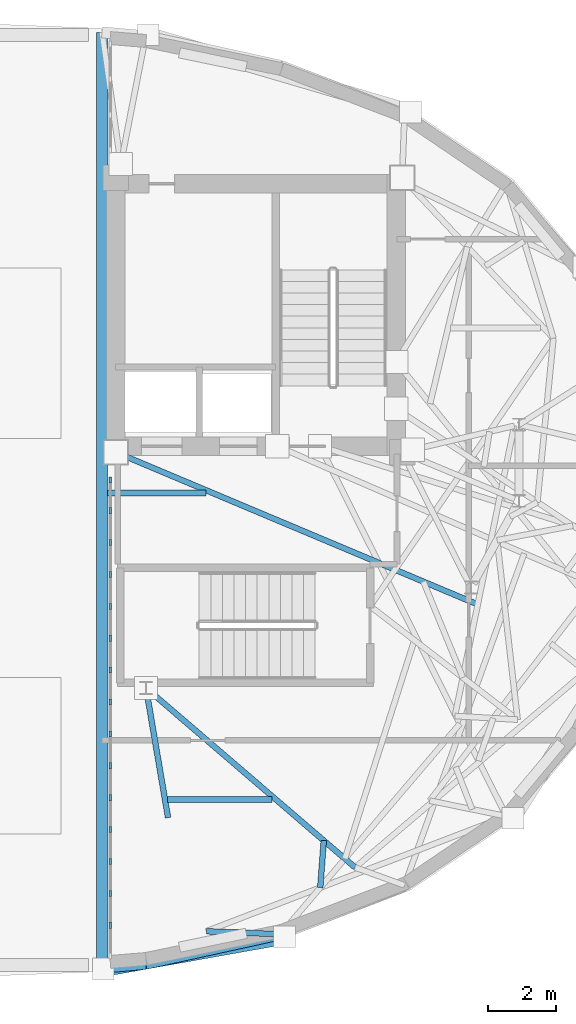
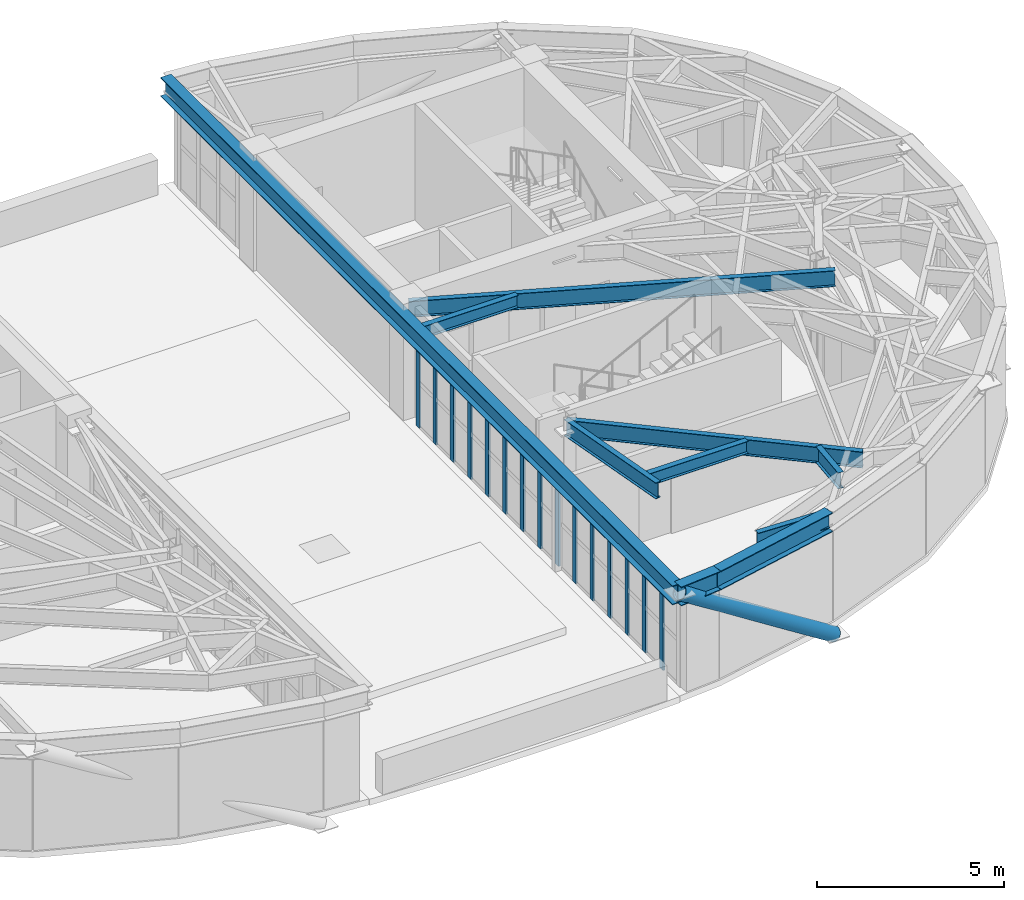
# One storey, part 3 of 13: 16 members, 10 beams, 1 element without a shape of its own.
"""IFC4 building model written with IfcOpenShell, lengths in metres."""

from ifc_helpers import new_model, si_unit, direction, frame, origin, origin_2d, place, context, subcontext, project, spatial, rectangle, hollow_circle, i_section, extrude, material, layer, layer_set, material_profile, profile_set, type_object, element, aggregate, save


model = new_model("IFC4")

# Units and contexts
model_context = context("Model", 3, precision=1e-05, world=origin(), true_north=direction((0.0, 1.0)))
body_context = subcontext(model_context, "Body", "Model", "MODEL_VIEW")
ifc_project = project(units=[si_unit("LENGTHUNIT", "METRE"), si_unit("AREAUNIT", "SQUARE_METRE"), si_unit("VOLUMEUNIT", "CUBIC_METRE"), si_unit("PLANEANGLEUNIT", "RADIAN"), si_unit("MASSUNIT", "GRAM", prefix="KILO")], contexts=[model_context])

# Site, building, storey
site_placement = place(None, origin())
site = spatial("IfcSite", under=ifc_project, at=site_placement, CompositionType="ELEMENT")
building_placement = place(site_placement, origin())
building = spatial("IfcBuilding", under=site, at=building_placement, Name="Keldmark Tower", CompositionType="ELEMENT")
storey_placement = place(building_placement, frame((0.0, 0.0, 269.199951171875)))
storey = spatial("IfcBuildingStorey", under=building, at=storey_placement, Name="L76", CompositionType="ELEMENT", Elevation=269.199951171875)

# Beams
ifc_material_1 = material(Name="Steel ASTM A992 Grade 50", Category="steel")
ifc_material_profile_1 = material_profile(ifc_material_1, i_section(OverallWidth=0.177978515625, OverallDepth=0.403076171875, WebThickness=0.007568359375, FlangeThickness=0.010986328125, at=origin_2d()), Name="W16X36")
ifc_profile_set_1 = profile_set([ifc_material_profile_1], Name="Steel ASTM A992 Grade 50")
beam_type_1 = type_object("IfcBeamType", Name="Composite Floor Joist W16X36", PredefinedType="JOIST", material=ifc_profile_set_1)
beam_1_placement = place(storey_placement, frame((6.720947265625, -8.780029296875, 3.3984375), z_axis=(1.0, 0.0, 0.0), x_axis=(0.0, 1.0, 0.0)))
element("IfcBeam", 1, at=beam_1_placement, inside=storey, type_object=beam_type_1, Name="L76 Composite Floor Joist J01", PredefinedType="JOIST", context=body_context, shape_type="SweptSolid", body=[
    extrude(i_section(OverallWidth=0.177978515625, OverallDepth=0.403076171875, WebThickness=0.007568359375, FlangeThickness=0.010986328125, at=origin_2d()), origin(), (0.0, 0.0, 1.0), 3.057373046875),
])
beam_2_placement = place(storey_placement, frame((4.95458984375, 0.199951171875, 3.3984375), z_axis=(1.0, 0.0, 0.0), x_axis=(0.0, 1.0, 0.0)))
element("IfcBeam", 2, at=beam_2_placement, inside=storey, type_object=beam_type_1, Name="L76 Composite Floor Joist J02", PredefinedType="JOIST", context=body_context, shape_type="SweptSolid", body=[
    extrude(i_section(OverallWidth=0.177978515625, OverallDepth=0.403076171875, WebThickness=0.007568359375, FlangeThickness=0.010986328125, at=origin_2d()), origin(), (0.0, 0.0, 1.0), 2.898193359375),
])

# Member
ifc_material_2 = material(Name="Steel ASTM A572 Grade 50", Category="steel")
ifc_material_profile_2 = material_profile(ifc_material_2, hollow_circle(Radius=0.22509765625, WallThickness=0.02197265625, at=origin_2d()), Name="CHS450X22")
ifc_profile_set_2 = profile_set([ifc_material_profile_2], Name="Steel ASTM A572 Grade 50")
member_type_1 = type_object("IfcMemberType", Name="Crown Frame Brace CHS450X22", PredefinedType="USERDEFINED", material=ifc_profile_set_2)
member_1_placement = place(storey_placement, frame((10.153076171875, -12.806884765625, -0.449951171875), z_axis=(-0.805311500811, -0.143500736894, 0.575222500579), x_axis=(0.175429419345, -0.984492010546, 0.0)))
element("IfcMember", 3, at=member_1_placement, inside=storey, type_object=member_type_1, Name="L76 Crown Frame Diagonal E12", ObjectType="CROWN FRAME", PredefinedType="USERDEFINED", context=body_context, shape_type="SweptSolid", body=[
    extrude(hollow_circle(Radius=0.22509765625, WallThickness=0.02197265625, at=origin_2d()), origin(), (0.0, 0.0, 1.0), 6.606201171875),
])

# Curtain wall, members
ifc_material_3 = material(Name="Unitized Thermally Broken Aluminum and Triple Low-E Glazing", Category="aluminium")
ifc_layer = layer(ifc_material_3, 0.219970703125)
ifc_layer_set = layer_set([ifc_layer], Name="Unitized Thermally Broken Aluminum and Triple Low-E Glazing")
curtain_wall_type = type_object("IfcCurtainWallType", Name="Split-Top Crown Lantern Curtain Wall System", PredefinedType="NOTDEFINED", material=ifc_layer_set)
curtain_wall_placement = place(storey_placement, origin())
curtain_wall = element("IfcCurtainWall", 4, at=curtain_wall_placement, inside=storey, type_object=curtain_wall_type, Name="L76 Split-Top Crown Lantern Curtain Wall System CW-L76-ES14-1", PredefinedType="NOTDEFINED")
ifc_material_4 = material(Name="Extruded Aluminum Alloy 6063-T6", Category="aluminium")
ifc_material_profile_3 = material_profile(ifc_material_4, rectangle(XDim=0.06005859375, YDim=0.179931640625, at=origin_2d()), Name="CWM60X180")
ifc_profile_set_3 = profile_set([ifc_material_profile_3], Name="Extruded Aluminum Alloy 6063-T6")
member_type_2 = type_object("IfcMemberType", Name="Curtain Wall Structural Mullion 60x180", PredefinedType="MULLION", material=ifc_profile_set_3)
member_2_placement = place(storey_placement, frame((5.0400390625, 0.591552734375, 0.0), z_axis=(0.0, 0.0, 1.0), x_axis=(1.0, 0.0, 0.0)))
member_2 = element("IfcMember", 5, at=member_2_placement, type_object=member_type_2, Name="CW mullion 1", PredefinedType="MULLION", context=body_context, shape_type="SweptSolid", body=[
    extrude(rectangle(XDim=0.06005859375, YDim=0.179931640625, at=origin_2d()), origin(), (0.0, 0.0, 1.0), 2.966064453125),
])
member_3_placement = place(storey_placement, frame((5.0400390625, -0.3134765625, 0.0), z_axis=(0.0, 0.0, 1.0), x_axis=(1.0, 0.0, 0.0)))
member_3 = element("IfcMember", 6, at=member_3_placement, type_object=member_type_2, Name="CW mullion 2", PredefinedType="MULLION", context=body_context, shape_type="SweptSolid", body=[
    extrude(rectangle(XDim=0.06005859375, YDim=0.179931640625, at=origin_2d()), origin(), (0.0, 0.0, 1.0), 2.966064453125),
])
member_4_placement = place(storey_placement, frame((5.0400390625, -1.24853515625, 0.0), z_axis=(0.0, 0.0, 1.0), x_axis=(1.0, 0.0, 0.0)))
member_4 = element("IfcMember", 7, at=member_4_placement, type_object=member_type_2, Name="CW mullion 3", PredefinedType="MULLION", context=body_context, shape_type="SweptSolid", body=[
    extrude(rectangle(XDim=0.06005859375, YDim=0.179931640625, at=origin_2d()), origin(), (0.0, 0.0, 1.0), 2.966064453125),
])
member_5_placement = place(storey_placement, frame((5.0400390625, -2.183837890625, 0.0), z_axis=(0.0, 0.0, 1.0), x_axis=(1.0, 0.0, 0.0)))
member_5 = element("IfcMember", 8, at=member_5_placement, type_object=member_type_2, Name="CW mullion 4", PredefinedType="MULLION", context=body_context, shape_type="SweptSolid", body=[
    extrude(rectangle(XDim=0.06005859375, YDim=0.179931640625, at=origin_2d()), origin(), (0.0, 0.0, 1.0), 2.966064453125),
])
member_6_placement = place(storey_placement, frame((5.0400390625, -3.118896484375, 0.0), z_axis=(0.0, 0.0, 1.0), x_axis=(1.0, 0.0, 0.0)))
member_6 = element("IfcMember", 9, at=member_6_placement, type_object=member_type_2, Name="CW mullion 5", PredefinedType="MULLION", context=body_context, shape_type="SweptSolid", body=[
    extrude(rectangle(XDim=0.06005859375, YDim=0.179931640625, at=origin_2d()), origin(), (0.0, 0.0, 1.0), 2.966064453125),
])
member_7_placement = place(storey_placement, frame((5.0400390625, -4.053955078125, 0.0), z_axis=(0.0, 0.0, 1.0), x_axis=(1.0, 0.0, 0.0)))
member_7 = element("IfcMember", 10, at=member_7_placement, type_object=member_type_2, Name="CW mullion 6", PredefinedType="MULLION", context=body_context, shape_type="SweptSolid", body=[
    extrude(rectangle(XDim=0.06005859375, YDim=0.179931640625, at=origin_2d()), origin(), (0.0, 0.0, 1.0), 2.966064453125),
])
member_8_placement = place(storey_placement, frame((5.0400390625, -4.989013671875, 0.0), z_axis=(0.0, 0.0, 1.0), x_axis=(1.0, 0.0, 0.0)))
member_8 = element("IfcMember", 11, at=member_8_placement, type_object=member_type_2, Name="CW mullion 7", PredefinedType="MULLION", context=body_context, shape_type="SweptSolid", body=[
    extrude(rectangle(XDim=0.06005859375, YDim=0.179931640625, at=origin_2d()), origin(), (0.0, 0.0, 1.0), 2.966064453125),
])
member_9_placement = place(storey_placement, frame((5.0400390625, -5.924072265625, 0.0), z_axis=(0.0, 0.0, 1.0), x_axis=(1.0, 0.0, 0.0)))
member_9 = element("IfcMember", 12, at=member_9_placement, type_object=member_type_2, Name="CW mullion 8", PredefinedType="MULLION", context=body_context, shape_type="SweptSolid", body=[
    extrude(rectangle(XDim=0.06005859375, YDim=0.179931640625, at=origin_2d()), origin(), (0.0, 0.0, 1.0), 2.966064453125),
])
member_10_placement = place(storey_placement, frame((5.0400390625, -6.859130859375, 0.0), z_axis=(0.0, 0.0, 1.0), x_axis=(1.0, 0.0, 0.0)))
member_10 = element("IfcMember", 13, at=member_10_placement, type_object=member_type_2, Name="CW mullion 9", PredefinedType="MULLION", context=body_context, shape_type="SweptSolid", body=[
    extrude(rectangle(XDim=0.06005859375, YDim=0.179931640625, at=origin_2d()), origin(), (0.0, 0.0, 1.0), 2.966064453125),
])
member_11_placement = place(storey_placement, frame((5.0400390625, -7.794189453125, 0.0), z_axis=(0.0, 0.0, 1.0), x_axis=(1.0, 0.0, 0.0)))
member_11 = element("IfcMember", 14, at=member_11_placement, type_object=member_type_2, Name="CW mullion 10", PredefinedType="MULLION", context=body_context, shape_type="SweptSolid", body=[
    extrude(rectangle(XDim=0.06005859375, YDim=0.179931640625, at=origin_2d()), origin(), (0.0, 0.0, 1.0), 2.966064453125),
])
member_12_placement = place(storey_placement, frame((5.0400390625, -8.729248046875, 0.0), z_axis=(0.0, 0.0, 1.0), x_axis=(1.0, 0.0, 0.0)))
member_12 = element("IfcMember", 15, at=member_12_placement, type_object=member_type_2, Name="CW mullion 11", PredefinedType="MULLION", context=body_context, shape_type="SweptSolid", body=[
    extrude(rectangle(XDim=0.06005859375, YDim=0.179931640625, at=origin_2d()), origin(), (0.0, 0.0, 1.0), 2.966064453125),
])
member_13_placement = place(storey_placement, frame((5.0400390625, -9.664306640625, 0.0), z_axis=(0.0, 0.0, 1.0), x_axis=(1.0, 0.0, 0.0)))
member_13 = element("IfcMember", 16, at=member_13_placement, type_object=member_type_2, Name="CW mullion 12", PredefinedType="MULLION", context=body_context, shape_type="SweptSolid", body=[
    extrude(rectangle(XDim=0.06005859375, YDim=0.179931640625, at=origin_2d()), origin(), (0.0, 0.0, 1.0), 2.966064453125),
])
member_14_placement = place(storey_placement, frame((5.0400390625, -10.599365234375, 0.0), z_axis=(0.0, 0.0, 1.0), x_axis=(1.0, 0.0, 0.0)))
member_14 = element("IfcMember", 17, at=member_14_placement, type_object=member_type_2, Name="CW mullion 13", PredefinedType="MULLION", context=body_context, shape_type="SweptSolid", body=[
    extrude(rectangle(XDim=0.06005859375, YDim=0.179931640625, at=origin_2d()), origin(), (0.0, 0.0, 1.0), 2.966064453125),
])
member_15_placement = place(storey_placement, frame((5.0400390625, -11.534423828125, 0.0), z_axis=(0.0, 0.0, 1.0), x_axis=(1.0, 0.0, 0.0)))
member_15 = element("IfcMember", 18, at=member_15_placement, type_object=member_type_2, Name="CW mullion 14", PredefinedType="MULLION", context=body_context, shape_type="SweptSolid", body=[
    extrude(rectangle(XDim=0.06005859375, YDim=0.179931640625, at=origin_2d()), origin(), (0.0, 0.0, 1.0), 2.966064453125),
])
member_16_placement = place(storey_placement, frame((5.0400390625, -12.469482421875, 0.0), z_axis=(0.0, 0.0, 1.0), x_axis=(1.0, 0.0, 0.0)))
member_16 = element("IfcMember", 19, at=member_16_placement, type_object=member_type_2, Name="CW mullion 15", PredefinedType="MULLION", context=body_context, shape_type="SweptSolid", body=[
    extrude(rectangle(XDim=0.06005859375, YDim=0.179931640625, at=origin_2d()), origin(), (0.0, 0.0, 1.0), 2.966064453125),
])
aggregate(curtain_wall, [member_2, member_3, member_4, member_5, member_6, member_7, member_8, member_9, member_10, member_11, member_12, member_13, member_14, member_15, member_16])

# Beams
ifc_material_5 = material(Name="Steel ASTM A992 Grade 50", Category="steel")
ifc_material_profile_4 = material_profile(ifc_material_5, i_section(OverallWidth=0.166015625, OverallDepth=0.529052734375, WebThickness=0.009765625, FlangeThickness=0.013671875, at=origin_2d()), Name="W21X50")
ifc_profile_set_4 = profile_set([ifc_material_profile_4], Name="Steel ASTM A992 Grade 50")
beam_type_2 = type_object("IfcBeamType", Name="Radial Tie Girder W21X50", PredefinedType="BEAM", material=ifc_profile_set_4)
beam_3_placement = place(storey_placement, frame((5.199951171875, 1.39990234375, 3.33544921875), z_axis=(0.92183596842, -0.387580246306, 0.0), x_axis=(0.387580246306, 0.92183596842, 0.0)))
element("IfcBeam", 20, at=beam_3_placement, inside=storey, type_object=beam_type_2, Name="L76 Framing Pin Header PH-001", PredefinedType="BEAM", context=body_context, shape_type="SweptSolid", body=[
    extrude(i_section(OverallWidth=0.166015625, OverallDepth=0.529052734375, WebThickness=0.009765625, FlangeThickness=0.013671875, at=origin_2d()), origin(), (0.0, 0.0, 1.0), 11.5166015625),
])
beam_4_placement = place(storey_placement, frame((6.089599609375, -5.512939453125, 3.33544921875), z_axis=(0.758827735454, -0.651291384794, 0.0), x_axis=(0.651291384794, 0.758827735454, 0.0)))
element("IfcBeam", 21, at=beam_4_placement, inside=storey, type_object=beam_type_2, Name="L76 Straddling Support Chord CRT-E13RB", PredefinedType="BEAM", context=body_context, shape_type="SweptSolid", body=[
    extrude(i_section(OverallWidth=0.166015625, OverallDepth=0.529052734375, WebThickness=0.009765625, FlangeThickness=0.013671875, at=origin_2d()), origin(), (0.0, 0.0, 1.0), 8.080078125),
])
beam_5_placement = place(storey_placement, frame((11.30126953125, -9.98583984375, 3.33544921875), z_axis=(-0.074404223005, -0.997228164263, 0.0), x_axis=(0.997228164263, -0.074404223005, 0.0)))
element("IfcBeam", 22, at=beam_5_placement, inside=storey, type_object=beam_type_2, Name="L76 Framing Pin Header PH-013", PredefinedType="BEAM", context=body_context, shape_type="SweptSolid", body=[
    extrude(i_section(OverallWidth=0.166015625, OverallDepth=0.529052734375, WebThickness=0.009765625, FlangeThickness=0.013671875, at=origin_2d()), origin(), (0.0, 0.0, 1.0), 1.384765625),
])
beam_6_placement = place(storey_placement, frame((7.860595703125, -12.646484375, 3.33544921875), z_axis=(0.999187633812, -0.040299782107, 0.0), x_axis=(0.040299782107, 0.999187633812, 0.0)))
element("IfcBeam", 23, at=beam_6_placement, inside=storey, type_object=beam_type_2, Name="L76 Crown Step Collector Chord CRT-E14RP2", PredefinedType="BEAM", context=body_context, shape_type="SweptSolid", body=[
    extrude(i_section(OverallWidth=0.166015625, OverallDepth=0.529052734375, WebThickness=0.009765625, FlangeThickness=0.013671875, at=origin_2d()), origin(), (0.0, 0.0, 1.0), 2.1748046875),
])
beam_7_placement = place(storey_placement, frame((6.089599609375, -5.512939453125, 3.33544921875), z_axis=(0.167561027264, -0.985861705384, 0.0), x_axis=(0.985861705384, 0.167561027264, 0.0)))
element("IfcBeam", 24, at=beam_7_placement, inside=storey, type_object=beam_type_2, Name="L76 Column Step Bracket CRT-E14RS", PredefinedType="BEAM", context=body_context, shape_type="SweptSolid", body=[
    extrude(i_section(OverallWidth=0.166015625, OverallDepth=0.529052734375, WebThickness=0.009765625, FlangeThickness=0.013671875, at=origin_2d()), origin(), (0.0, 0.0, 1.0), 3.855224609375),
])
ifc_material_6 = material(Name="Steel ASTM A992 Grade 50", Category="steel")
ifc_material_profile_5 = material_profile(ifc_material_6, i_section(OverallWidth=0.326904296875, OverallDepth=0.6220703125, WebThickness=0.015380859375, FlangeThickness=0.0244140625, at=origin_2d()), Name="W24X131")
ifc_profile_set_5 = profile_set([ifc_material_profile_5], Name="Steel ASTM A992 Grade 50")
beam_type_3 = type_object("IfcBeamType", Name="Spandrel Ring Beam W24X131", PredefinedType="SPANDREL", material=ifc_profile_set_5)
beam_8_placement = place(storey_placement, frame((10.03369140625, -12.734130859375, 3.2890625), z_axis=(-0.976881906686, -0.213779653823, 0.0), x_axis=(0.213779653823, -0.976881906686, 0.0)))
element("IfcBeam", 25, at=beam_8_placement, inside=storey, type_object=beam_type_3, Name="L76 Crown Spandrel Ring Beam CRB-E13", PredefinedType="SPANDREL", context=body_context, shape_type="SweptSolid", body=[
    extrude(i_section(OverallWidth=0.326904296875, OverallDepth=0.6220703125, WebThickness=0.015380859375, FlangeThickness=0.0244140625, at=origin_2d()), origin(), (0.0, 0.0, 1.0), 4.046142578125),
])
beam_9_placement = place(storey_placement, frame((6.0810546875, -13.59912109375, 3.2890625), z_axis=(-0.995961379777, -0.089782682034, 0.0), x_axis=(0.089782682034, -0.995961379777, 0.0)))
element("IfcBeam", 26, at=beam_9_placement, inside=storey, type_object=beam_type_3, Name="L76 Crown Spandrel Ring Beam CRB-E14", PredefinedType="SPANDREL", context=body_context, shape_type="SweptSolid", body=[
    extrude(i_section(OverallWidth=0.326904296875, OverallDepth=0.6220703125, WebThickness=0.015380859375, FlangeThickness=0.0244140625, at=origin_2d()), origin(), (0.0, 0.0, 1.0), 1.2861328125),
])
beam_10_placement = place(storey_placement, frame((4.800048828125, -13.714599609375, 3.2890625), z_axis=(0.0, 1.0, 0.0), x_axis=(-1.0, 0.0, 0.0)))
element("IfcBeam", 27, at=beam_10_placement, inside=storey, type_object=beam_type_3, Name="L76 Crown Spandrel Ring Beam CRB-E15", PredefinedType="SPANDREL", context=body_context, shape_type="SweptSolid", body=[
    extrude(i_section(OverallWidth=0.326904296875, OverallDepth=0.6220703125, WebThickness=0.015380859375, FlangeThickness=0.0244140625, at=origin_2d()), origin(), (0.0, 0.0, 1.0), 27.42919921875),
])

save(model, "model.ifc")
